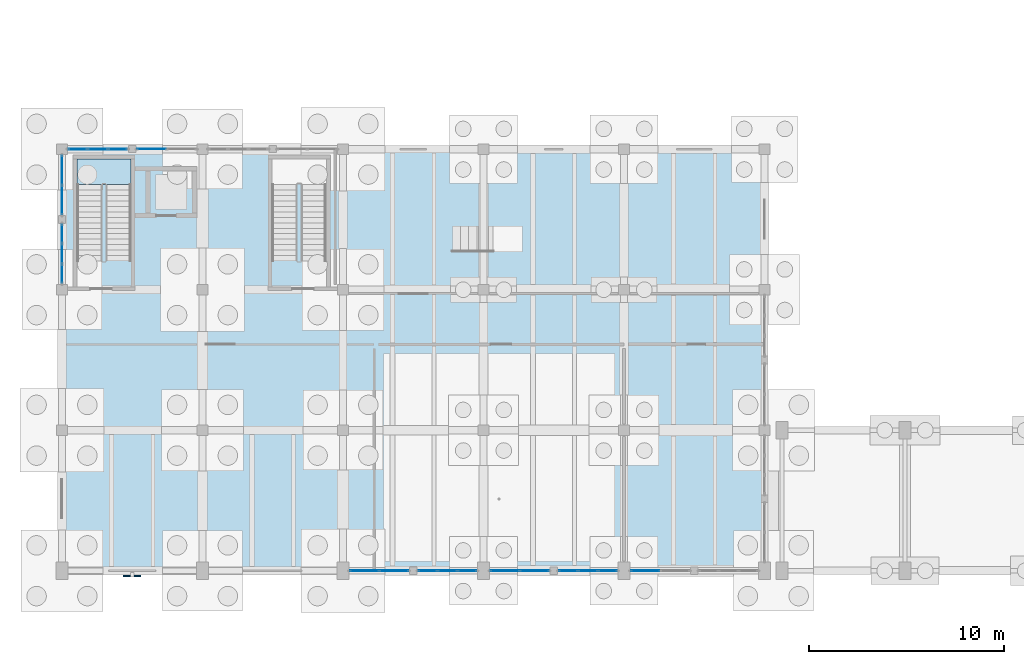
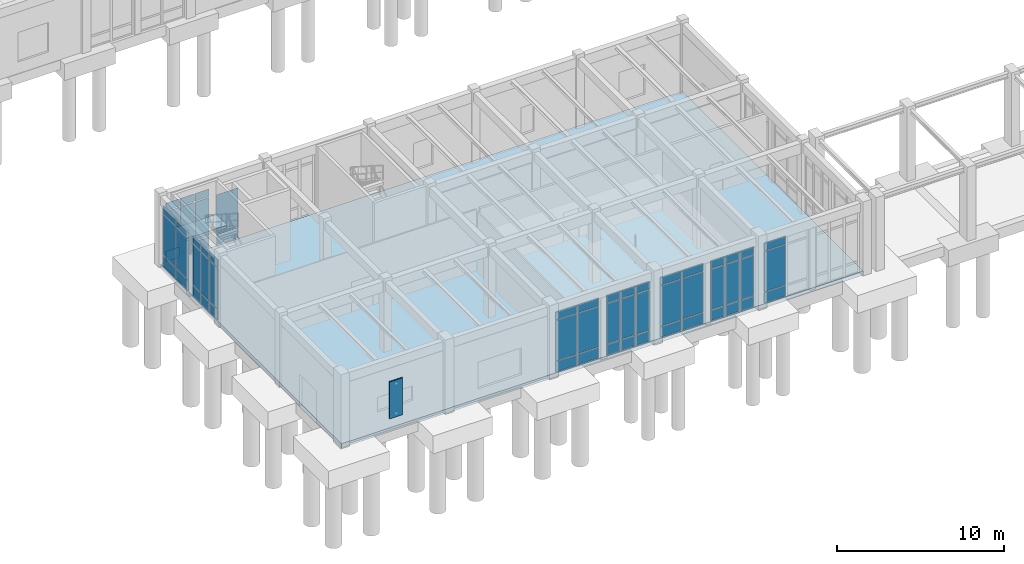
# One storey, part 49 of 93: 60 plates, 2 slabs, 10 elements without a shape of their own.
"""IFC4 building model written with IfcOpenShell, lengths in metres."""

from ifc_helpers import new_model, si_unit, direction, frame, origin, origin_2d, place, context, subcontext, project, spatial, polyline, rectangle, outline, extrude, material, layer, layer_set, type_object, element, aggregate, save


model = new_model("IFC4")

# Units and contexts
model_context = context("Model", 3, precision=1e-05, world=origin(), true_north=direction((0.0, 1.0)))
body_context = subcontext(model_context, "Body", "Model", "MODEL_VIEW")
ifc_project = project(units=[si_unit("LENGTHUNIT", "METRE"), si_unit("AREAUNIT", "SQUARE_METRE"), si_unit("VOLUMEUNIT", "CUBIC_METRE"), si_unit("PLANEANGLEUNIT", "RADIAN"), si_unit("MASSUNIT", "GRAM", prefix="KILO")], contexts=[model_context])

# Site, building, storey
site_placement = place(None, origin())
site = spatial("IfcSite", under=ifc_project, at=site_placement, CompositionType="ELEMENT")
building_placement = place(site_placement, origin())
building = spatial("IfcBuilding", under=site, at=building_placement, Name="Koriwan Promenade Central Fire Station", CompositionType="ELEMENT")
storey_placement = place(building_placement, origin())
storey = spatial("IfcBuildingStorey", under=building, at=storey_placement, Name="L00", CompositionType="ELEMENT", Elevation=0.0)

# Slab
ifc_material_1 = material(Name="Concrete C35/45", Category="concrete")
ifc_layer_1 = layer(ifc_material_1, 0.300048828125, Name="Concrete C35/45")
ifc_layer_set_1 = layer_set([ifc_layer_1], Name="Concrete C35/45")
slab_type_1 = type_object("IfcSlabType", Name="BaseSlab_300", PredefinedType="BASESLAB", material=ifc_layer_set_1)
slab_1_placement = place(storey_placement, frame((0.0, 0.0, -0.300048828125)))
element("IfcSlab", 1, at=slab_1_placement, inside=storey, type_object=slab_type_1, Name="V3 L00 structural slab 1", PredefinedType="BASESLAB", context=body_context, shape_type="SweptSolid", body=[
    extrude(outline(polyline([(36.0, 0.0), (36.0, 21.60009765625), (0.0, 21.60009765625), (0.0, 0.0), (36.0, 0.0)])), origin(), (0.0, 0.0, 1.0), 0.300048828125),
])

# Curtain wall, plates
ifc_material_2 = material(Name="Aluminium EN AW-6063-T6 and low-E glazing", Category="aluminium")
ifc_layer_2 = layer(ifc_material_2, 0.159912109375, Name="Aluminium EN AW-6063-T6 and low-E glazing")
ifc_layer_set_2 = layer_set([ifc_layer_2], Name="Aluminium EN AW-6063-T6 and low-E glazing")
curtain_wall_type_1 = type_object("IfcCurtainWallType", Name="CurtainWall_22_312x439", PredefinedType="USERDEFINED", material=ifc_layer_set_2)
curtain_wall_1_placement = place(storey_placement, origin())
curtain_wall_1 = element("IfcCurtainWall", 2, at=curtain_wall_1_placement, inside=storey, type_object=curtain_wall_type_1, Name="V3 L00 unitised curtain wall 057", ObjectType="UNITISED CURTAIN WALL", PredefinedType="USERDEFINED")
ifc_material_3 = material(Name="Low-E laminated double glazing", Category="glass")
ifc_layer_3 = layer(ifc_material_3, 0.028076171875, Name="Low-E laminated double glazing")
ifc_layer_set_3 = layer_set([ifc_layer_3], Name="Low-E laminated double glazing")
plate_type_1 = type_object("IfcPlateType", Name="CWPanel_28", PredefinedType="CURTAIN_PANEL", material=ifc_layer_set_3)
plate_1_placement = place(storey_placement, frame((4.597412109375, 21.60009765625, 0.06494140625), z_axis=(0.0, 0.0, 1.0), x_axis=(-1.0, 0.0, 0.0)))
plate_1 = element("IfcPlate", 3, at=plate_1_placement, type_object=plate_type_1, Name="CW-22 panel 2.1", PredefinedType="CURTAIN_PANEL", context=body_context, shape_type="SweptSolid", body=[
    extrude(rectangle(XDim=1.465087890625, YDim=0.028076171875, at=origin_2d()), origin(), (0.0, 0.0, 1.0), 0.75244140625),
])
plate_2_placement = place(storey_placement, frame((4.597412109375, 21.60009765625, 0.88232421875), z_axis=(0.0, 0.0, 1.0), x_axis=(-1.0, 0.0, 0.0)))
plate_2 = element("IfcPlate", 4, at=plate_2_placement, type_object=plate_type_1, Name="CW-22 panel 2.2", PredefinedType="CURTAIN_PANEL", context=body_context, shape_type="SweptSolid", body=[
    extrude(rectangle(XDim=1.465087890625, YDim=0.028076171875, at=origin_2d()), origin(), (0.0, 0.0, 1.0), 2.824951171875),
])
aggregate(curtain_wall_1, [plate_1, plate_2])

ifc_layer_4 = layer(ifc_material_2, 0.159912109375, Name="Aluminium EN AW-6063-T6 and low-E glazing")
ifc_layer_set_4 = layer_set([ifc_layer_4], Name="Aluminium EN AW-6063-T6 and low-E glazing")
curtain_wall_type_2 = type_object("IfcCurtainWallType", Name="CurtainWall_18_312x454", PredefinedType="USERDEFINED", material=ifc_layer_set_4)
curtain_wall_2_placement = place(storey_placement, origin())
curtain_wall_2 = element("IfcCurtainWall", 5, at=curtain_wall_2_placement, inside=storey, type_object=curtain_wall_type_2, Name="V3 L00 unitised curtain wall 059", ObjectType="UNITISED CURTAIN WALL", PredefinedType="USERDEFINED")
plate_3_placement = place(storey_placement, frame((0.0, 20.527587890625, 0.06494140625), z_axis=(0.0, 0.0, 1.0), x_axis=(0.0, -1.0, 0.0)))
plate_3 = element("IfcPlate", 6, at=plate_3_placement, type_object=plate_type_1, Name="CW-18 panel 1.1", PredefinedType="CURTAIN_PANEL", context=body_context, shape_type="SweptSolid", body=[
    extrude(rectangle(XDim=1.465087890625, YDim=0.028076171875, at=origin_2d()), origin(), (0.0, 0.0, 1.0), 0.75244140625),
])
plate_4_placement = place(storey_placement, frame((0.0, 20.527587890625, 0.882568359375), z_axis=(0.0, 0.0, 1.0), x_axis=(0.0, -1.0, 0.0)))
plate_4 = element("IfcPlate", 7, at=plate_4_placement, type_object=plate_type_1, Name="CW-18 panel 1.2", PredefinedType="CURTAIN_PANEL", context=body_context, shape_type="SweptSolid", body=[
    extrude(rectangle(XDim=1.465087890625, YDim=0.028076171875, at=origin_2d()), origin(), (0.0, 0.0, 1.0), 2.97509765625),
])
plate_5_placement = place(storey_placement, frame((0.0, 20.527587890625, 3.92236328125), z_axis=(0.0, 0.0, 1.0), x_axis=(0.0, -1.0, 0.0)))
plate_5 = element("IfcPlate", 8, at=plate_5_placement, type_object=plate_type_1, Name="CW-18 panel 1.3", PredefinedType="CURTAIN_PANEL", context=body_context, shape_type="SweptSolid", body=[
    extrude(rectangle(XDim=1.465087890625, YDim=0.028076171875, at=origin_2d()), origin(), (0.0, 0.0, 1.0), 0.552490234375),
])
plate_6_placement = place(storey_placement, frame((0.0, 18.99755859375, 0.06494140625), z_axis=(0.0, 0.0, 1.0), x_axis=(0.0, -1.0, 0.0)))
plate_6 = element("IfcPlate", 9, at=plate_6_placement, type_object=plate_type_1, Name="CW-18 panel 2.1", PredefinedType="CURTAIN_PANEL", context=body_context, shape_type="SweptSolid", body=[
    extrude(rectangle(XDim=1.465087890625, YDim=0.028076171875, at=origin_2d()), origin(), (0.0, 0.0, 1.0), 0.75244140625),
])
plate_7_placement = place(storey_placement, frame((0.0, 18.99755859375, 0.882568359375), z_axis=(0.0, 0.0, 1.0), x_axis=(0.0, -1.0, 0.0)))
plate_7 = element("IfcPlate", 10, at=plate_7_placement, type_object=plate_type_1, Name="CW-18 panel 2.2", PredefinedType="CURTAIN_PANEL", context=body_context, shape_type="SweptSolid", body=[
    extrude(rectangle(XDim=1.465087890625, YDim=0.028076171875, at=origin_2d()), origin(), (0.0, 0.0, 1.0), 2.97509765625),
])
plate_8_placement = place(storey_placement, frame((0.0, 18.99755859375, 3.92236328125), z_axis=(0.0, 0.0, 1.0), x_axis=(0.0, -1.0, 0.0)))
plate_8 = element("IfcPlate", 11, at=plate_8_placement, type_object=plate_type_1, Name="CW-18 panel 2.3", PredefinedType="CURTAIN_PANEL", context=body_context, shape_type="SweptSolid", body=[
    extrude(rectangle(XDim=1.465087890625, YDim=0.028076171875, at=origin_2d()), origin(), (0.0, 0.0, 1.0), 0.552490234375),
])
aggregate(curtain_wall_2, [plate_3, plate_4, plate_5, plate_6, plate_7, plate_8])

ifc_layer_5 = layer(ifc_material_2, 0.159912109375, Name="Aluminium EN AW-6063-T6 and low-E glazing")
ifc_layer_set_5 = layer_set([ifc_layer_5], Name="Aluminium EN AW-6063-T6 and low-E glazing")
curtain_wall_type_3 = type_object("IfcCurtainWallType", Name="CurtainWall_24_310x449", PredefinedType="USERDEFINED", material=ifc_layer_set_5)
curtain_wall_3_placement = place(storey_placement, origin())
curtain_wall_3 = element("IfcCurtainWall", 12, at=curtain_wall_3_placement, inside=storey, type_object=curtain_wall_type_3, Name="V3 L00 unitised curtain wall 061", ObjectType="UNITISED CURTAIN WALL", PredefinedType="USERDEFINED")
plate_9_placement = place(storey_placement, frame((15.4912109375, 0.0, 0.06494140625), z_axis=(0.0, 0.0, 1.0), x_axis=(1.0, 0.0, 0.0)))
plate_9 = element("IfcPlate", 13, at=plate_9_placement, type_object=plate_type_1, Name="CW-24 panel 1.1", PredefinedType="CURTAIN_PANEL", context=body_context, shape_type="SweptSolid", body=[
    extrude(rectangle(XDim=1.452392578125, YDim=0.028076171875, at=origin_2d()), origin(), (0.0, 0.0, 1.0), 0.75244140625),
])
plate_10_placement = place(storey_placement, frame((15.4912109375, 0.0, 0.88232421875), z_axis=(0.0, 0.0, 1.0), x_axis=(1.0, 0.0, 0.0)))
plate_10 = element("IfcPlate", 14, at=plate_10_placement, type_object=plate_type_1, Name="CW-24 panel 1.2", PredefinedType="CURTAIN_PANEL", context=body_context, shape_type="SweptSolid", body=[
    extrude(rectangle(XDim=1.452392578125, YDim=0.028076171875, at=origin_2d()), origin(), (0.0, 0.0, 1.0), 2.925048828125),
])
plate_11_placement = place(storey_placement, frame((15.4912109375, 0.0, 3.87255859375), z_axis=(0.0, 0.0, 1.0), x_axis=(1.0, 0.0, 0.0)))
plate_11 = element("IfcPlate", 15, at=plate_11_placement, type_object=plate_type_1, Name="CW-24 panel 1.3", PredefinedType="CURTAIN_PANEL", context=body_context, shape_type="SweptSolid", body=[
    extrude(rectangle(XDim=1.452392578125, YDim=0.028076171875, at=origin_2d()), origin(), (0.0, 0.0, 1.0), 0.552490234375),
])
plate_12_placement = place(storey_placement, frame((17.0087890625, 0.0, 0.06494140625), z_axis=(0.0, 0.0, 1.0), x_axis=(1.0, 0.0, 0.0)))
plate_12 = element("IfcPlate", 16, at=plate_12_placement, type_object=plate_type_1, Name="CW-24 panel 2.1", PredefinedType="CURTAIN_PANEL", context=body_context, shape_type="SweptSolid", body=[
    extrude(rectangle(XDim=1.452392578125, YDim=0.028076171875, at=origin_2d()), origin(), (0.0, 0.0, 1.0), 0.75244140625),
])
plate_13_placement = place(storey_placement, frame((17.0087890625, 0.0, 0.88232421875), z_axis=(0.0, 0.0, 1.0), x_axis=(1.0, 0.0, 0.0)))
plate_13 = element("IfcPlate", 17, at=plate_13_placement, type_object=plate_type_1, Name="CW-24 panel 2.2", PredefinedType="CURTAIN_PANEL", context=body_context, shape_type="SweptSolid", body=[
    extrude(rectangle(XDim=1.452392578125, YDim=0.028076171875, at=origin_2d()), origin(), (0.0, 0.0, 1.0), 2.925048828125),
])
plate_14_placement = place(storey_placement, frame((17.0087890625, 0.0, 3.87255859375), z_axis=(0.0, 0.0, 1.0), x_axis=(1.0, 0.0, 0.0)))
plate_14 = element("IfcPlate", 18, at=plate_14_placement, type_object=plate_type_1, Name="CW-24 panel 2.3", PredefinedType="CURTAIN_PANEL", context=body_context, shape_type="SweptSolid", body=[
    extrude(rectangle(XDim=1.452392578125, YDim=0.028076171875, at=origin_2d()), origin(), (0.0, 0.0, 1.0), 0.552490234375),
])
aggregate(curtain_wall_3, [plate_9, plate_10, plate_11, plate_12, plate_13, plate_14])

curtain_wall_4_placement = place(storey_placement, origin())
curtain_wall_4 = element("IfcCurtainWall", 19, at=curtain_wall_4_placement, inside=storey, type_object=curtain_wall_type_3, Name="V3 L00 unitised curtain wall 063", ObjectType="UNITISED CURTAIN WALL", PredefinedType="USERDEFINED")
plate_15_placement = place(storey_placement, frame((22.691162109375, 0.0, 0.06494140625), z_axis=(0.0, 0.0, 1.0), x_axis=(1.0, 0.0, 0.0)))
plate_15 = element("IfcPlate", 20, at=plate_15_placement, type_object=plate_type_1, Name="CW-24 panel 1.1", PredefinedType="CURTAIN_PANEL", context=body_context, shape_type="SweptSolid", body=[
    extrude(rectangle(XDim=1.452392578125, YDim=0.028076171875, at=origin_2d()), origin(), (0.0, 0.0, 1.0), 0.75244140625),
])
plate_16_placement = place(storey_placement, frame((22.691162109375, 0.0, 0.88232421875), z_axis=(0.0, 0.0, 1.0), x_axis=(1.0, 0.0, 0.0)))
plate_16 = element("IfcPlate", 21, at=plate_16_placement, type_object=plate_type_1, Name="CW-24 panel 1.2", PredefinedType="CURTAIN_PANEL", context=body_context, shape_type="SweptSolid", body=[
    extrude(rectangle(XDim=1.452392578125, YDim=0.028076171875, at=origin_2d()), origin(), (0.0, 0.0, 1.0), 2.925048828125),
])
plate_17_placement = place(storey_placement, frame((22.691162109375, 0.0, 3.87255859375), z_axis=(0.0, 0.0, 1.0), x_axis=(1.0, 0.0, 0.0)))
plate_17 = element("IfcPlate", 22, at=plate_17_placement, type_object=plate_type_1, Name="CW-24 panel 1.3", PredefinedType="CURTAIN_PANEL", context=body_context, shape_type="SweptSolid", body=[
    extrude(rectangle(XDim=1.452392578125, YDim=0.028076171875, at=origin_2d()), origin(), (0.0, 0.0, 1.0), 0.552490234375),
])
plate_18_placement = place(storey_placement, frame((24.208740234375, 0.0, 0.06494140625), z_axis=(0.0, 0.0, 1.0), x_axis=(1.0, 0.0, 0.0)))
plate_18 = element("IfcPlate", 23, at=plate_18_placement, type_object=plate_type_1, Name="CW-24 panel 2.1", PredefinedType="CURTAIN_PANEL", context=body_context, shape_type="SweptSolid", body=[
    extrude(rectangle(XDim=1.452392578125, YDim=0.028076171875, at=origin_2d()), origin(), (0.0, 0.0, 1.0), 0.75244140625),
])
plate_19_placement = place(storey_placement, frame((24.208740234375, 0.0, 0.88232421875), z_axis=(0.0, 0.0, 1.0), x_axis=(1.0, 0.0, 0.0)))
plate_19 = element("IfcPlate", 24, at=plate_19_placement, type_object=plate_type_1, Name="CW-24 panel 2.2", PredefinedType="CURTAIN_PANEL", context=body_context, shape_type="SweptSolid", body=[
    extrude(rectangle(XDim=1.452392578125, YDim=0.028076171875, at=origin_2d()), origin(), (0.0, 0.0, 1.0), 2.925048828125),
])
plate_20_placement = place(storey_placement, frame((24.208740234375, 0.0, 3.87255859375), z_axis=(0.0, 0.0, 1.0), x_axis=(1.0, 0.0, 0.0)))
plate_20 = element("IfcPlate", 25, at=plate_20_placement, type_object=plate_type_1, Name="CW-24 panel 2.3", PredefinedType="CURTAIN_PANEL", context=body_context, shape_type="SweptSolid", body=[
    extrude(rectangle(XDim=1.452392578125, YDim=0.028076171875, at=origin_2d()), origin(), (0.0, 0.0, 1.0), 0.552490234375),
])
aggregate(curtain_wall_4, [plate_15, plate_16, plate_17, plate_18, plate_19, plate_20])

curtain_wall_5_placement = place(storey_placement, origin())
curtain_wall_5 = element("IfcCurtainWall", 26, at=curtain_wall_5_placement, inside=storey, type_object=curtain_wall_type_3, Name="V3 L00 unitised curtain wall 065", ObjectType="UNITISED CURTAIN WALL", PredefinedType="USERDEFINED")
plate_21_placement = place(storey_placement, frame((29.891357421875, 0.0, 0.06494140625), z_axis=(0.0, 0.0, 1.0), x_axis=(1.0, 0.0, 0.0)))
plate_21 = element("IfcPlate", 27, at=plate_21_placement, type_object=plate_type_1, Name="CW-24 panel 1.1", PredefinedType="CURTAIN_PANEL", context=body_context, shape_type="SweptSolid", body=[
    extrude(rectangle(XDim=1.452392578125, YDim=0.028076171875, at=origin_2d()), origin(), (0.0, 0.0, 1.0), 0.75244140625),
])
plate_22_placement = place(storey_placement, frame((29.891357421875, 0.0, 0.88232421875), z_axis=(0.0, 0.0, 1.0), x_axis=(1.0, 0.0, 0.0)))
plate_22 = element("IfcPlate", 28, at=plate_22_placement, type_object=plate_type_1, Name="CW-24 panel 1.2", PredefinedType="CURTAIN_PANEL", context=body_context, shape_type="SweptSolid", body=[
    extrude(rectangle(XDim=1.452392578125, YDim=0.028076171875, at=origin_2d()), origin(), (0.0, 0.0, 1.0), 2.925048828125),
])
plate_23_placement = place(storey_placement, frame((29.891357421875, 0.0, 3.87255859375), z_axis=(0.0, 0.0, 1.0), x_axis=(1.0, 0.0, 0.0)))
plate_23 = element("IfcPlate", 29, at=plate_23_placement, type_object=plate_type_1, Name="CW-24 panel 1.3", PredefinedType="CURTAIN_PANEL", context=body_context, shape_type="SweptSolid", body=[
    extrude(rectangle(XDim=1.452392578125, YDim=0.028076171875, at=origin_2d()), origin(), (0.0, 0.0, 1.0), 0.552490234375),
])
aggregate(curtain_wall_5, [plate_21, plate_22, plate_23])

ifc_layer_6 = layer(ifc_material_2, 0.159912109375, Name="Aluminium EN AW-6063-T6 and low-E glazing")
ifc_layer_set_6 = layer_set([ifc_layer_6], Name="Aluminium EN AW-6063-T6 and low-E glazing")
curtain_wall_type_4 = type_object("IfcCurtainWallType", Name="CurtainWall_23_312x439", PredefinedType="USERDEFINED", material=ifc_layer_set_6)
curtain_wall_6_placement = place(storey_placement, origin())
curtain_wall_6 = element("IfcCurtainWall", 30, at=curtain_wall_6_placement, inside=storey, type_object=curtain_wall_type_4, Name="V3 L00 unitised curtain wall 058", ObjectType="UNITISED CURTAIN WALL", PredefinedType="USERDEFINED")
ifc_material_4 = material(Name="Solar-control low-E acoustic glazing", Category="glass")
ifc_layer_7 = layer(ifc_material_4, 0.031982421875, Name="Solar-control low-E acoustic glazing")
ifc_layer_set_7 = layer_set([ifc_layer_7], Name="Solar-control low-E acoustic glazing")
plate_type_2 = type_object("IfcPlateType", Name="CWPanel_32", PredefinedType="CURTAIN_PANEL", material=ifc_layer_set_7)
plate_24_placement = place(storey_placement, frame((2.8603515625, 21.60009765625, 0.0751953125), z_axis=(0.0, 0.0, 1.0), x_axis=(-1.0, 0.0, 0.0)))
plate_24 = element("IfcPlate", 31, at=plate_24_placement, type_object=plate_type_2, Name="CW-23 panel 1.1", PredefinedType="CURTAIN_PANEL", context=body_context, shape_type="SweptSolid", body=[
    extrude(rectangle(XDim=0.92919921875, YDim=0.031982421875, at=origin_2d()), origin(), (0.0, 0.0, 1.0), 0.737548828125),
])
plate_25_placement = place(storey_placement, frame((2.8603515625, 21.60009765625, 0.887451171875), z_axis=(0.0, 0.0, 1.0), x_axis=(-1.0, 0.0, 0.0)))
plate_25 = element("IfcPlate", 32, at=plate_25_placement, type_object=plate_type_2, Name="CW-23 panel 1.2", PredefinedType="CURTAIN_PANEL", context=body_context, shape_type="SweptSolid", body=[
    extrude(rectangle(XDim=0.92919921875, YDim=0.031982421875, at=origin_2d()), origin(), (0.0, 0.0, 1.0), 2.81494140625),
])
plate_26_placement = place(storey_placement, frame((2.8603515625, 21.60009765625, 3.77734375), z_axis=(0.0, 0.0, 1.0), x_axis=(-1.0, 0.0, 0.0)))
plate_26 = element("IfcPlate", 33, at=plate_26_placement, type_object=plate_type_2, Name="CW-23 panel 1.3", PredefinedType="CURTAIN_PANEL", context=body_context, shape_type="SweptSolid", body=[
    extrude(rectangle(XDim=0.92919921875, YDim=0.031982421875, at=origin_2d()), origin(), (0.0, 0.0, 1.0), 0.53759765625),
])
plate_27_placement = place(storey_placement, frame((1.83740234375, 21.60009765625, 0.0751953125), z_axis=(0.0, 0.0, 1.0), x_axis=(-1.0, 0.0, 0.0)))
plate_27 = element("IfcPlate", 34, at=plate_27_placement, type_object=plate_type_2, Name="CW-23 panel 2.1", PredefinedType="CURTAIN_PANEL", context=body_context, shape_type="SweptSolid", body=[
    extrude(rectangle(XDim=0.966552734375, YDim=0.031982421875, at=origin_2d()), origin(), (0.0, 0.0, 1.0), 0.737548828125),
])
plate_28_placement = place(storey_placement, frame((1.83740234375, 21.60009765625, 0.887451171875), z_axis=(0.0, 0.0, 1.0), x_axis=(-1.0, 0.0, 0.0)))
plate_28 = element("IfcPlate", 35, at=plate_28_placement, type_object=plate_type_2, Name="CW-23 panel 2.2", PredefinedType="CURTAIN_PANEL", context=body_context, shape_type="SweptSolid", body=[
    extrude(rectangle(XDim=0.966552734375, YDim=0.031982421875, at=origin_2d()), origin(), (0.0, 0.0, 1.0), 2.81494140625),
])
plate_29_placement = place(storey_placement, frame((1.83740234375, 21.60009765625, 3.77734375), z_axis=(0.0, 0.0, 1.0), x_axis=(-1.0, 0.0, 0.0)))
plate_29 = element("IfcPlate", 36, at=plate_29_placement, type_object=plate_type_2, Name="CW-23 panel 2.3", PredefinedType="CURTAIN_PANEL", context=body_context, shape_type="SweptSolid", body=[
    extrude(rectangle(XDim=0.966552734375, YDim=0.031982421875, at=origin_2d()), origin(), (0.0, 0.0, 1.0), 0.53759765625),
])
plate_30_placement = place(storey_placement, frame((0.814697265625, 21.60009765625, 0.0751953125), z_axis=(0.0, 0.0, 1.0), x_axis=(-1.0, 0.0, 0.0)))
plate_30 = element("IfcPlate", 37, at=plate_30_placement, type_object=plate_type_2, Name="CW-23 panel 3.1", PredefinedType="CURTAIN_PANEL", context=body_context, shape_type="SweptSolid", body=[
    extrude(rectangle(XDim=0.92919921875, YDim=0.031982421875, at=origin_2d()), origin(), (0.0, 0.0, 1.0), 0.737548828125),
])
plate_31_placement = place(storey_placement, frame((0.814697265625, 21.60009765625, 0.887451171875), z_axis=(0.0, 0.0, 1.0), x_axis=(-1.0, 0.0, 0.0)))
plate_31 = element("IfcPlate", 38, at=plate_31_placement, type_object=plate_type_2, Name="CW-23 panel 3.2", PredefinedType="CURTAIN_PANEL", context=body_context, shape_type="SweptSolid", body=[
    extrude(rectangle(XDim=0.92919921875, YDim=0.031982421875, at=origin_2d()), origin(), (0.0, 0.0, 1.0), 2.81494140625),
])
plate_32_placement = place(storey_placement, frame((0.814697265625, 21.60009765625, 3.77734375), z_axis=(0.0, 0.0, 1.0), x_axis=(-1.0, 0.0, 0.0)))
plate_32 = element("IfcPlate", 39, at=plate_32_placement, type_object=plate_type_2, Name="CW-23 panel 3.3", PredefinedType="CURTAIN_PANEL", context=body_context, shape_type="SweptSolid", body=[
    extrude(rectangle(XDim=0.92919921875, YDim=0.031982421875, at=origin_2d()), origin(), (0.0, 0.0, 1.0), 0.53759765625),
])
aggregate(curtain_wall_6, [plate_24, plate_25, plate_26, plate_27, plate_28, plate_29, plate_30, plate_31, plate_32])

ifc_layer_8 = layer(ifc_material_2, 0.159912109375, Name="Aluminium EN AW-6063-T6 and low-E glazing")
ifc_layer_set_8 = layer_set([ifc_layer_8], Name="Aluminium EN AW-6063-T6 and low-E glazing")
curtain_wall_type_5 = type_object("IfcCurtainWallType", Name="CurtainWall_19_312x454", PredefinedType="USERDEFINED", material=ifc_layer_set_8)
curtain_wall_7_placement = place(storey_placement, origin())
curtain_wall_7 = element("IfcCurtainWall", 40, at=curtain_wall_7_placement, inside=storey, type_object=curtain_wall_type_5, Name="V3 L00 unitised curtain wall 060", ObjectType="UNITISED CURTAIN WALL", PredefinedType="USERDEFINED")
plate_33_placement = place(storey_placement, frame((0.0, 17.260498046875, 0.0751953125), z_axis=(0.0, 0.0, 1.0), x_axis=(0.0, -1.0, 0.0)))
plate_33 = element("IfcPlate", 41, at=plate_33_placement, type_object=plate_type_2, Name="CW-19 panel 1.1", PredefinedType="CURTAIN_PANEL", context=body_context, shape_type="SweptSolid", body=[
    extrude(rectangle(XDim=0.92919921875, YDim=0.031982421875, at=origin_2d()), origin(), (0.0, 0.0, 1.0), 0.737548828125),
])
plate_34_placement = place(storey_placement, frame((0.0, 17.260498046875, 0.8876953125), z_axis=(0.0, 0.0, 1.0), x_axis=(0.0, -1.0, 0.0)))
plate_34 = element("IfcPlate", 42, at=plate_34_placement, type_object=plate_type_2, Name="CW-19 panel 1.2", PredefinedType="CURTAIN_PANEL", context=body_context, shape_type="SweptSolid", body=[
    extrude(rectangle(XDim=0.92919921875, YDim=0.031982421875, at=origin_2d()), origin(), (0.0, 0.0, 1.0), 2.965087890625),
])
plate_35_placement = place(storey_placement, frame((0.0, 17.260498046875, 3.927490234375), z_axis=(0.0, 0.0, 1.0), x_axis=(0.0, -1.0, 0.0)))
plate_35 = element("IfcPlate", 43, at=plate_35_placement, type_object=plate_type_2, Name="CW-19 panel 1.3", PredefinedType="CURTAIN_PANEL", context=body_context, shape_type="SweptSolid", body=[
    extrude(rectangle(XDim=0.92919921875, YDim=0.031982421875, at=origin_2d()), origin(), (0.0, 0.0, 1.0), 0.53759765625),
])
plate_36_placement = place(storey_placement, frame((0.0, 16.237548828125, 0.0751953125), z_axis=(0.0, 0.0, 1.0), x_axis=(0.0, -1.0, 0.0)))
plate_36 = element("IfcPlate", 44, at=plate_36_placement, type_object=plate_type_2, Name="CW-19 panel 2.1", PredefinedType="CURTAIN_PANEL", context=body_context, shape_type="SweptSolid", body=[
    extrude(rectangle(XDim=0.966552734375, YDim=0.031982421875, at=origin_2d()), origin(), (0.0, 0.0, 1.0), 0.737548828125),
])
plate_37_placement = place(storey_placement, frame((0.0, 16.237548828125, 0.8876953125), z_axis=(0.0, 0.0, 1.0), x_axis=(0.0, -1.0, 0.0)))
plate_37 = element("IfcPlate", 45, at=plate_37_placement, type_object=plate_type_2, Name="CW-19 panel 2.2", PredefinedType="CURTAIN_PANEL", context=body_context, shape_type="SweptSolid", body=[
    extrude(rectangle(XDim=0.966552734375, YDim=0.031982421875, at=origin_2d()), origin(), (0.0, 0.0, 1.0), 2.965087890625),
])
plate_38_placement = place(storey_placement, frame((0.0, 16.237548828125, 3.927490234375), z_axis=(0.0, 0.0, 1.0), x_axis=(0.0, -1.0, 0.0)))
plate_38 = element("IfcPlate", 46, at=plate_38_placement, type_object=plate_type_2, Name="CW-19 panel 2.3", PredefinedType="CURTAIN_PANEL", context=body_context, shape_type="SweptSolid", body=[
    extrude(rectangle(XDim=0.966552734375, YDim=0.031982421875, at=origin_2d()), origin(), (0.0, 0.0, 1.0), 0.53759765625),
])
plate_39_placement = place(storey_placement, frame((0.0, 15.214599609375, 0.0751953125), z_axis=(0.0, 0.0, 1.0), x_axis=(0.0, -1.0, 0.0)))
plate_39 = element("IfcPlate", 47, at=plate_39_placement, type_object=plate_type_2, Name="CW-19 panel 3.1", PredefinedType="CURTAIN_PANEL", context=body_context, shape_type="SweptSolid", body=[
    extrude(rectangle(XDim=0.92919921875, YDim=0.031982421875, at=origin_2d()), origin(), (0.0, 0.0, 1.0), 0.737548828125),
])
plate_40_placement = place(storey_placement, frame((0.0, 15.214599609375, 0.8876953125), z_axis=(0.0, 0.0, 1.0), x_axis=(0.0, -1.0, 0.0)))
plate_40 = element("IfcPlate", 48, at=plate_40_placement, type_object=plate_type_2, Name="CW-19 panel 3.2", PredefinedType="CURTAIN_PANEL", context=body_context, shape_type="SweptSolid", body=[
    extrude(rectangle(XDim=0.92919921875, YDim=0.031982421875, at=origin_2d()), origin(), (0.0, 0.0, 1.0), 2.965087890625),
])
plate_41_placement = place(storey_placement, frame((0.0, 15.214599609375, 3.927490234375), z_axis=(0.0, 0.0, 1.0), x_axis=(0.0, -1.0, 0.0)))
plate_41 = element("IfcPlate", 49, at=plate_41_placement, type_object=plate_type_2, Name="CW-19 panel 3.3", PredefinedType="CURTAIN_PANEL", context=body_context, shape_type="SweptSolid", body=[
    extrude(rectangle(XDim=0.92919921875, YDim=0.031982421875, at=origin_2d()), origin(), (0.0, 0.0, 1.0), 0.53759765625),
])
aggregate(curtain_wall_7, [plate_33, plate_34, plate_35, plate_36, plate_37, plate_38, plate_39, plate_40, plate_41])

ifc_layer_9 = layer(ifc_material_2, 0.159912109375, Name="Aluminium EN AW-6063-T6 and low-E glazing")
ifc_layer_set_9 = layer_set([ifc_layer_9], Name="Aluminium EN AW-6063-T6 and low-E glazing")
curtain_wall_type_6 = type_object("IfcCurtainWallType", Name="CurtainWall_25_310x449", PredefinedType="USERDEFINED", material=ifc_layer_set_9)
curtain_wall_8_placement = place(storey_placement, origin())
curtain_wall_8 = element("IfcCurtainWall", 50, at=curtain_wall_8_placement, inside=storey, type_object=curtain_wall_type_6, Name="V3 L00 unitised curtain wall 062", ObjectType="UNITISED CURTAIN WALL", PredefinedType="USERDEFINED")
plate_42_placement = place(storey_placement, frame((18.7353515625, 0.0, 0.0751953125), z_axis=(0.0, 0.0, 1.0), x_axis=(1.0, 0.0, 0.0)))
plate_42 = element("IfcPlate", 51, at=plate_42_placement, type_object=plate_type_2, Name="CW-25 panel 1.1", PredefinedType="CURTAIN_PANEL", context=body_context, shape_type="SweptSolid", body=[
    extrude(rectangle(XDim=0.9208984375, YDim=0.031982421875, at=origin_2d()), origin(), (0.0, 0.0, 1.0), 0.737548828125),
])
plate_43_placement = place(storey_placement, frame((18.7353515625, 0.0, 0.887451171875), z_axis=(0.0, 0.0, 1.0), x_axis=(1.0, 0.0, 0.0)))
plate_43 = element("IfcPlate", 52, at=plate_43_placement, type_object=plate_type_2, Name="CW-25 panel 1.2", PredefinedType="CURTAIN_PANEL", context=body_context, shape_type="SweptSolid", body=[
    extrude(rectangle(XDim=0.9208984375, YDim=0.031982421875, at=origin_2d()), origin(), (0.0, 0.0, 1.0), 2.9150390625),
])
plate_44_placement = place(storey_placement, frame((18.7353515625, 0.0, 3.87744140625), z_axis=(0.0, 0.0, 1.0), x_axis=(1.0, 0.0, 0.0)))
plate_44 = element("IfcPlate", 53, at=plate_44_placement, type_object=plate_type_2, Name="CW-25 panel 1.3", PredefinedType="CURTAIN_PANEL", context=body_context, shape_type="SweptSolid", body=[
    extrude(rectangle(XDim=0.9208984375, YDim=0.031982421875, at=origin_2d()), origin(), (0.0, 0.0, 1.0), 0.53759765625),
])
plate_45_placement = place(storey_placement, frame((19.75, 0.0, 0.0751953125), z_axis=(0.0, 0.0, 1.0), x_axis=(1.0, 0.0, 0.0)))
plate_45 = element("IfcPlate", 54, at=plate_45_placement, type_object=plate_type_2, Name="CW-25 panel 2.1", PredefinedType="CURTAIN_PANEL", context=body_context, shape_type="SweptSolid", body=[
    extrude(rectangle(XDim=0.958251953125, YDim=0.031982421875, at=origin_2d()), origin(), (0.0, 0.0, 1.0), 0.737548828125),
])
plate_46_placement = place(storey_placement, frame((19.75, 0.0, 0.887451171875), z_axis=(0.0, 0.0, 1.0), x_axis=(1.0, 0.0, 0.0)))
plate_46 = element("IfcPlate", 55, at=plate_46_placement, type_object=plate_type_2, Name="CW-25 panel 2.2", PredefinedType="CURTAIN_PANEL", context=body_context, shape_type="SweptSolid", body=[
    extrude(rectangle(XDim=0.958251953125, YDim=0.031982421875, at=origin_2d()), origin(), (0.0, 0.0, 1.0), 2.9150390625),
])
plate_47_placement = place(storey_placement, frame((19.75, 0.0, 3.87744140625), z_axis=(0.0, 0.0, 1.0), x_axis=(1.0, 0.0, 0.0)))
plate_47 = element("IfcPlate", 56, at=plate_47_placement, type_object=plate_type_2, Name="CW-25 panel 2.3", PredefinedType="CURTAIN_PANEL", context=body_context, shape_type="SweptSolid", body=[
    extrude(rectangle(XDim=0.958251953125, YDim=0.031982421875, at=origin_2d()), origin(), (0.0, 0.0, 1.0), 0.53759765625),
])
plate_48_placement = place(storey_placement, frame((20.7646484375, 0.0, 0.0751953125), z_axis=(0.0, 0.0, 1.0), x_axis=(1.0, 0.0, 0.0)))
plate_48 = element("IfcPlate", 57, at=plate_48_placement, type_object=plate_type_2, Name="CW-25 panel 3.1", PredefinedType="CURTAIN_PANEL", context=body_context, shape_type="SweptSolid", body=[
    extrude(rectangle(XDim=0.9208984375, YDim=0.031982421875, at=origin_2d()), origin(), (0.0, 0.0, 1.0), 0.737548828125),
])
plate_49_placement = place(storey_placement, frame((20.7646484375, 0.0, 0.887451171875), z_axis=(0.0, 0.0, 1.0), x_axis=(1.0, 0.0, 0.0)))
plate_49 = element("IfcPlate", 58, at=plate_49_placement, type_object=plate_type_2, Name="CW-25 panel 3.2", PredefinedType="CURTAIN_PANEL", context=body_context, shape_type="SweptSolid", body=[
    extrude(rectangle(XDim=0.9208984375, YDim=0.031982421875, at=origin_2d()), origin(), (0.0, 0.0, 1.0), 2.9150390625),
])
plate_50_placement = place(storey_placement, frame((20.7646484375, 0.0, 3.87744140625), z_axis=(0.0, 0.0, 1.0), x_axis=(1.0, 0.0, 0.0)))
plate_50 = element("IfcPlate", 59, at=plate_50_placement, type_object=plate_type_2, Name="CW-25 panel 3.3", PredefinedType="CURTAIN_PANEL", context=body_context, shape_type="SweptSolid", body=[
    extrude(rectangle(XDim=0.9208984375, YDim=0.031982421875, at=origin_2d()), origin(), (0.0, 0.0, 1.0), 0.53759765625),
])
aggregate(curtain_wall_8, [plate_42, plate_43, plate_44, plate_45, plate_46, plate_47, plate_48, plate_49, plate_50])

curtain_wall_9_placement = place(storey_placement, origin())
curtain_wall_9 = element("IfcCurtainWall", 60, at=curtain_wall_9_placement, inside=storey, type_object=curtain_wall_type_6, Name="V3 L00 unitised curtain wall 064", ObjectType="UNITISED CURTAIN WALL", PredefinedType="USERDEFINED")
plate_51_placement = place(storey_placement, frame((25.935302734375, 0.0, 0.0751953125), z_axis=(0.0, 0.0, 1.0), x_axis=(1.0, 0.0, 0.0)))
plate_51 = element("IfcPlate", 61, at=plate_51_placement, type_object=plate_type_2, Name="CW-25 panel 1.1", PredefinedType="CURTAIN_PANEL", context=body_context, shape_type="SweptSolid", body=[
    extrude(rectangle(XDim=0.9208984375, YDim=0.031982421875, at=origin_2d()), origin(), (0.0, 0.0, 1.0), 0.737548828125),
])
plate_52_placement = place(storey_placement, frame((25.935302734375, 0.0, 0.887451171875), z_axis=(0.0, 0.0, 1.0), x_axis=(1.0, 0.0, 0.0)))
plate_52 = element("IfcPlate", 62, at=plate_52_placement, type_object=plate_type_2, Name="CW-25 panel 1.2", PredefinedType="CURTAIN_PANEL", context=body_context, shape_type="SweptSolid", body=[
    extrude(rectangle(XDim=0.9208984375, YDim=0.031982421875, at=origin_2d()), origin(), (0.0, 0.0, 1.0), 2.9150390625),
])
plate_53_placement = place(storey_placement, frame((25.935302734375, 0.0, 3.87744140625), z_axis=(0.0, 0.0, 1.0), x_axis=(1.0, 0.0, 0.0)))
plate_53 = element("IfcPlate", 63, at=plate_53_placement, type_object=plate_type_2, Name="CW-25 panel 1.3", PredefinedType="CURTAIN_PANEL", context=body_context, shape_type="SweptSolid", body=[
    extrude(rectangle(XDim=0.9208984375, YDim=0.031982421875, at=origin_2d()), origin(), (0.0, 0.0, 1.0), 0.53759765625),
])
plate_54_placement = place(storey_placement, frame((26.949951171875, 0.0, 0.0751953125), z_axis=(0.0, 0.0, 1.0), x_axis=(1.0, 0.0, 0.0)))
plate_54 = element("IfcPlate", 64, at=plate_54_placement, type_object=plate_type_2, Name="CW-25 panel 2.1", PredefinedType="CURTAIN_PANEL", context=body_context, shape_type="SweptSolid", body=[
    extrude(rectangle(XDim=0.958251953125, YDim=0.031982421875, at=origin_2d()), origin(), (0.0, 0.0, 1.0), 0.737548828125),
])
plate_55_placement = place(storey_placement, frame((26.949951171875, 0.0, 0.887451171875), z_axis=(0.0, 0.0, 1.0), x_axis=(1.0, 0.0, 0.0)))
plate_55 = element("IfcPlate", 65, at=plate_55_placement, type_object=plate_type_2, Name="CW-25 panel 2.2", PredefinedType="CURTAIN_PANEL", context=body_context, shape_type="SweptSolid", body=[
    extrude(rectangle(XDim=0.958251953125, YDim=0.031982421875, at=origin_2d()), origin(), (0.0, 0.0, 1.0), 2.9150390625),
])
plate_56_placement = place(storey_placement, frame((26.949951171875, 0.0, 3.87744140625), z_axis=(0.0, 0.0, 1.0), x_axis=(1.0, 0.0, 0.0)))
plate_56 = element("IfcPlate", 66, at=plate_56_placement, type_object=plate_type_2, Name="CW-25 panel 2.3", PredefinedType="CURTAIN_PANEL", context=body_context, shape_type="SweptSolid", body=[
    extrude(rectangle(XDim=0.958251953125, YDim=0.031982421875, at=origin_2d()), origin(), (0.0, 0.0, 1.0), 0.53759765625),
])
plate_57_placement = place(storey_placement, frame((27.964599609375, 0.0, 0.0751953125), z_axis=(0.0, 0.0, 1.0), x_axis=(1.0, 0.0, 0.0)))
plate_57 = element("IfcPlate", 67, at=plate_57_placement, type_object=plate_type_2, Name="CW-25 panel 3.1", PredefinedType="CURTAIN_PANEL", context=body_context, shape_type="SweptSolid", body=[
    extrude(rectangle(XDim=0.9208984375, YDim=0.031982421875, at=origin_2d()), origin(), (0.0, 0.0, 1.0), 0.737548828125),
])
plate_58_placement = place(storey_placement, frame((27.964599609375, 0.0, 0.887451171875), z_axis=(0.0, 0.0, 1.0), x_axis=(1.0, 0.0, 0.0)))
plate_58 = element("IfcPlate", 68, at=plate_58_placement, type_object=plate_type_2, Name="CW-25 panel 3.2", PredefinedType="CURTAIN_PANEL", context=body_context, shape_type="SweptSolid", body=[
    extrude(rectangle(XDim=0.9208984375, YDim=0.031982421875, at=origin_2d()), origin(), (0.0, 0.0, 1.0), 2.9150390625),
])
plate_59_placement = place(storey_placement, frame((27.964599609375, 0.0, 3.87744140625), z_axis=(0.0, 0.0, 1.0), x_axis=(1.0, 0.0, 0.0)))
plate_59 = element("IfcPlate", 69, at=plate_59_placement, type_object=plate_type_2, Name="CW-25 panel 3.3", PredefinedType="CURTAIN_PANEL", context=body_context, shape_type="SweptSolid", body=[
    extrude(rectangle(XDim=0.9208984375, YDim=0.031982421875, at=origin_2d()), origin(), (0.0, 0.0, 1.0), 0.53759765625),
])
aggregate(curtain_wall_9, [plate_51, plate_52, plate_53, plate_54, plate_55, plate_56, plate_57, plate_58, plate_59])

# Plate
ifc_material_5 = material(Name="Precast concrete C40/50", Category="concrete")
ifc_layer_10 = layer(ifc_material_5, 0.080078125, Name="Precast concrete C40/50")
ifc_layer_set_10 = layer_set([ifc_layer_10], Name="Precast concrete C40/50")
plate_type_3 = type_object("IfcPlateType", Name="JaliScreen_JL-01", PredefinedType="USERDEFINED", material=ifc_layer_set_10)
plate_60_placement = place(storey_placement, frame((3.60009765625, -0.27001953125, 0.89501953125), z_axis=(0.0, 0.0, 1.0), x_axis=(1.0, 0.0, 0.0)))
element("IfcPlate", 70, at=plate_60_placement, inside=storey, type_object=plate_type_3, Name="V3 L00 Mughal jali screen 001", ObjectType="JALI SCREEN", PredefinedType="USERDEFINED", context=body_context, shape_type="SweptSolid", body=[
    extrude(rectangle(XDim=0.89990234375, YDim=0.080078125, at=origin_2d()), origin(), (0.0, 0.0, 1.0), 2.699951171875),
])

# Stair, slab
stair_type = type_object("IfcStairType", Name="Stair_HALF_30R_1320", PredefinedType="HALF_TURN_STAIR", material=ifc_material_1)
stair_placement = place(storey_placement, origin())
stair = element("IfcStair", 71, at=stair_placement, inside=storey, type_object=stair_type, Name="L00 Protected Stair ST14", PredefinedType="HALF_TURN_STAIR")
ifc_layer_11 = layer(ifc_material_1, 0.199951171875, Name="Concrete C35/45")
ifc_layer_set_11 = layer_set([ifc_layer_11], Name="Concrete C35/45")
slab_type_2 = type_object("IfcSlabType", Name="StairLanding_200", PredefinedType="LANDING", material=ifc_layer_set_11)
slab_2_placement = place(storey_placement, frame((0.0, 0.0, 2.5)))
slab_2 = element("IfcSlab", 72, at=slab_2_placement, type_object=slab_type_2, Name="ST14 landing 1", PredefinedType="LANDING", context=body_context, shape_type="SweptSolid", body=[
    extrude(outline(polyline([(3.550048828125, 19.7900390625), (3.550048828125, 21.110107421875), (0.760009765625, 21.110107421875), (0.760009765625, 19.7900390625), (3.550048828125, 19.7900390625)])), origin(), (0.0, 0.0, 1.0), 0.199951171875),
])
aggregate(stair, [slab_2])

save(model, "model.ifc")
